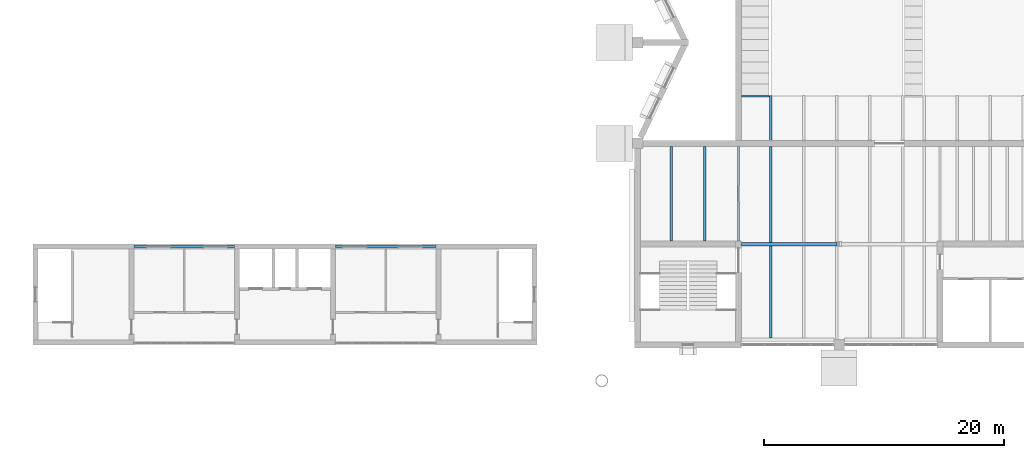
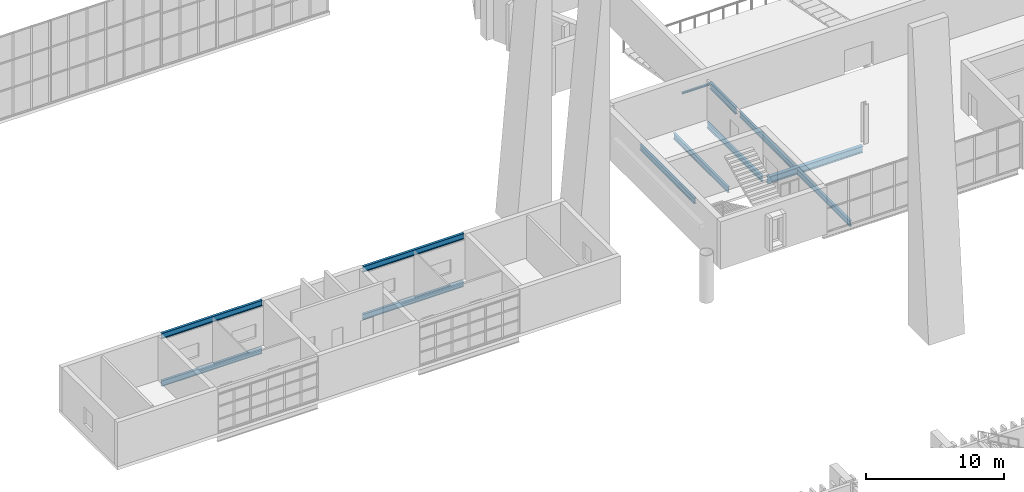
# One storey, part 34 of 100: 12 beams.
"""IFC4 building model written with IfcOpenShell, lengths in metres."""

import ifcopenshell
import ifcopenshell.guid

model = None  # the IFC model being written
_history = None  # IfcOwnerHistory: only IFC2X3 demands one
_inside = {}  # id of a spatial element -> (the spatial element, [elements in it])
_under = {}  # id of a project, library or spatial element -> (it, [spatial elements below it])
_declared = {}  # id of a project -> (the project, [libraries it declares])
_typed = {}  # id of a type object -> (the type object, [elements of that type])
_made_of = {}  # id of a material, layer set ... -> (it, [elements and type objects made of it])


def new_model(schema):
    """Start an empty IFC model of exactly this schema.

    Asked for "IFC4X3", IfcOpenShell would pick the latest addendum, in which some entities
    have other attributes; the version numbers below select the first issue.
    IFC2X3 requires an IfcOwnerHistory on every rooted entity: one is made here for all.
    """
    global model, _history
    if schema == "IFC4X3":
        model = ifcopenshell.file(schema_version=(4, 3, 0, 0))
    else:
        model = ifcopenshell.file(schema=schema)
    _inside.clear()
    _under.clear()
    _declared.clear()
    _typed.clear()
    _made_of.clear()
    _history = None
    if model.schema == "IFC2X3":
        org = make("IfcOrganization", Name="unknown")
        user = make(
            "IfcPersonAndOrganization",
            ThePerson=make("IfcPerson", FamilyName="unknown"),
            TheOrganization=org,
        )
        app = make(
            "IfcApplication",
            ApplicationDeveloper=org,
            Version="unknown",
            ApplicationFullName="unknown",
            ApplicationIdentifier="unknown",
        )
        _history = make(
            "IfcOwnerHistory",
            OwningUser=user,
            OwningApplication=app,
            ChangeAction="ADDED",
            CreationDate=0,
        )
    return model


def make(cls, **values):
    """One entity of the class cls with the attributes given. An attribute that is None is left unset."""
    return model.create_entity(
        cls, **{name: value for name, value in values.items() if value is not None}
    )


def rooted(cls, **values):
    """An entity with a GlobalId (a new one), such as an element, a storey or a relation."""
    return make(cls, GlobalId=ifcopenshell.guid.new(), OwnerHistory=_history, **values)


def si_unit(unit_type, name, prefix=None):
    """IfcSIUnit, for example si_unit("LENGTHUNIT", "METRE", prefix="MILLI")."""
    return make("IfcSIUnit", UnitType=unit_type, Prefix=prefix, Name=name)


def assignment(units):
    """IfcUnitAssignment: the units of a project."""
    return None if units is None else make("IfcUnitAssignment", Units=units)


def point(xyz):
    """IfcCartesianPoint."""
    return None if xyz is None else make("IfcCartesianPoint", Coordinates=xyz)


def direction(xyz):
    """IfcDirection."""
    return None if xyz is None else make("IfcDirection", DirectionRatios=xyz)


def frame(location, z_axis=None, x_axis=None):
    """IfcAxis2Placement3D, a coordinate frame: its origin and axes. An axis left out is left unset."""
    return make(
        "IfcAxis2Placement3D",
        Location=point(location),
        Axis=direction(z_axis),
        RefDirection=direction(x_axis),
    )


def frame_2d(location, x_axis=None):
    """IfcAxis2Placement2D, a coordinate frame in the plane: its origin and x axis."""
    return make(
        "IfcAxis2Placement2D", Location=point(location), RefDirection=direction(x_axis)
    )


def origin():
    """The frame at (0, 0, 0) with its axes left unset."""
    return frame((0.0, 0.0, 0.0))


def origin_2d():
    """The frame at (0, 0) in the plane with its x axis left unset."""
    return frame_2d((0.0, 0.0))


def place(relative_to, where):
    """IfcLocalPlacement: puts the frame where relative to a parent placement (None: the world)."""
    return make(
        "IfcLocalPlacement", PlacementRelTo=relative_to, RelativePlacement=where
    )


def context(
    kind, dimensions, precision=None, world=None, true_north=None, identifier=None
):
    """IfcGeometricRepresentationContext, for example the 3D "Model" context."""
    return make(
        "IfcGeometricRepresentationContext",
        ContextIdentifier=identifier,
        ContextType=kind,
        CoordinateSpaceDimension=dimensions,
        Precision=precision,
        WorldCoordinateSystem=world,
        TrueNorth=true_north,
    )


def subcontext(parent, identifier, kind, view, scale=None):
    """IfcGeometricRepresentationSubContext, for example "Body" below "Model"."""
    return make(
        "IfcGeometricRepresentationSubContext",
        ContextIdentifier=identifier,
        ContextType=kind,
        ParentContext=parent,
        TargetScale=scale,
        TargetView=view,
    )


def project(units=None, contexts=None):
    """IfcProject with its units and contexts."""
    return rooted(
        "IfcProject",
        Name="project",
        RepresentationContexts=contexts,
        UnitsInContext=assignment(units),
    )


def spatial(cls, under=None, at=None, **own):
    """A site, building, storey or space (cls), placed at a placement, below another one or the project."""
    s = rooted(cls, ObjectPlacement=at, **own)
    if under is not None:
        _under.setdefault(under.id(), (under, []))[1].append(s)
    return s


def profile(cls, at=None, kind="AREA", **sizes):
    """A parametric profile (cls). Its sizes go by their IFC names, for example OverallWidth=200.0."""
    return make(cls, ProfileType=kind, Position=at, **sizes)


def i_section(**sizes):
    """IfcIShapeProfileDef."""
    return profile("IfcIShapeProfileDef", **sizes)


def extrude(swept, where, along, depth):
    """IfcExtrudedAreaSolid: the profile swept, set in the frame where, extruded along a direction by depth."""
    return make(
        "IfcExtrudedAreaSolid",
        SweptArea=swept,
        Position=where,
        ExtrudedDirection=direction(along),
        Depth=depth,
    )


def shape(context_of_items, identifier, shape_type, items):
    """IfcShapeRepresentation: the items that make up one representation, for example the "Body"."""
    return make(
        "IfcShapeRepresentation",
        ContextOfItems=context_of_items,
        RepresentationIdentifier=identifier,
        RepresentationType=shape_type,
        Items=items,
    )


def material(Name=None, Category=None):
    """IfcMaterial."""
    return make("IfcMaterial", Name=Name, Category=Category)


def material_profile(
    of_material, cross_section, Name=None, Category=None, Priority=None
):
    """IfcMaterialProfile: a cross section and its material."""
    return make(
        "IfcMaterialProfile",
        Name=Name,
        Material=of_material,
        Profile=cross_section,
        Priority=Priority,
        Category=Category,
    )


def profile_set(profiles, Name=None, composite=None):
    """IfcMaterialProfileSet."""
    return make(
        "IfcMaterialProfileSet",
        Name=Name,
        MaterialProfiles=profiles,
        CompositeProfile=composite,
    )


def made_of(thing, what):
    """Note that an element or type object is made of a material, layer set ...; save() writes the relation."""
    if what is not None:
        _made_of.setdefault(what.id(), (what, []))[1].append(thing)
    return thing


def type_object(cls, material=None, **own):
    """A type object (cls), such as IfcWallType, which elements share."""
    return made_of(rooted(cls, **own), material)


def element(
    cls,
    number,
    at=None,
    inside=None,
    cuts=None,
    type_object=None,
    material=None,
    context=None,
    identifier="Body",
    shape_type=None,
    held_by="IfcProductDefinitionShape",
    body=None,
    shapes=None,
    **own,
):
    """One element of the class cls, such as IfcWall. Its Tag is "e" and its number.

    at: its placement. inside: the storey or other place that contains it. cuts: it is an
    opening in that element (IfcRelVoidsElement). A single representation is given by context,
    identifier, shape_type and body (its items); several are given by shapes. held_by: the class
    of the entity that holds the representations. save() writes the other relations.
    """
    e = rooted(cls, Tag="e%d" % number, ObjectPlacement=at, **own)
    if body is not None:
        shapes = [shape(context, identifier, shape_type, body)]
    if shapes is not None:
        e.Representation = make(held_by, Representations=shapes)
    if inside is not None:
        _inside.setdefault(inside.id(), (inside, []))[1].append(e)
    if cuts is not None:
        rooted(
            "IfcRelVoidsElement", RelatingBuildingElement=cuts, RelatedOpeningElement=e
        )
    if type_object is not None:
        _typed.setdefault(type_object.id(), (type_object, []))[1].append(e)
    return made_of(e, material)


def aggregate(whole, parts):
    """IfcRelAggregates: a whole, such as a stair, and the parts it consists of."""
    return rooted("IfcRelAggregates", RelatingObject=whole, RelatedObjects=parts)


def save(model, path):
    """Write the relations noted so far, then the file.

    IfcRelAggregates (storeys below a building ...), IfcRelContainedInSpatialStructure (elements
    in a storey), IfcRelDefinesByType, IfcRelAssociatesMaterial and IfcRelDeclares: one each for
    every whole, place, type object, material and project.
    """
    for whole, parts in _under.values():
        aggregate(whole, parts)
    for where, things in _inside.values():
        rooted(
            "IfcRelContainedInSpatialStructure",
            RelatedElements=things,
            RelatingStructure=where,
        )
    for kind, things in _typed.values():
        rooted("IfcRelDefinesByType", RelatedObjects=things, RelatingType=kind)
    for what, things in _made_of.values():
        rooted("IfcRelAssociatesMaterial", RelatedObjects=things, RelatingMaterial=what)
    for by, libraries in _declared.values():
        rooted("IfcRelDeclares", RelatingContext=by, RelatedDefinitions=libraries)
    model.write(path)


model = new_model("IFC4")

# Units and contexts
model_context = context("Model", 3, precision=1e-05, world=origin(), true_north=direction((0.0, 1.0)))
body_context = subcontext(model_context, "Body", "Model", "MODEL_VIEW")
ifc_project = project(units=[si_unit("LENGTHUNIT", "METRE"), si_unit("AREAUNIT", "SQUARE_METRE"), si_unit("VOLUMEUNIT", "CUBIC_METRE"), si_unit("PLANEANGLEUNIT", "RADIAN"), si_unit("MASSUNIT", "GRAM", prefix="KILO")], contexts=[model_context])

# Site, building, storey
site_placement = place(None, origin())
site = spatial("IfcSite", under=ifc_project, at=site_placement, CompositionType="ELEMENT")
building_placement = place(site_placement, origin())
building = spatial("IfcBuilding", under=site, at=building_placement, Name="Cresset Court Congress Hotel", CompositionType="ELEMENT")
storey_placement = place(building_placement, frame((0.0, 0.0, 10.199951171875)))
storey = spatial("IfcBuildingStorey", under=building, at=storey_placement, Name="L02", CompositionType="ELEMENT", Elevation=10.199951171875)

# Beams
ifc_material_1 = material(Name="Structural steel Q355B", Category="steel")
ifc_material_profile_1 = material_profile(ifc_material_1, i_section(OverallWidth=0.300048828125, OverallDepth=0.587890625, WebThickness=0.011962890625, FlangeThickness=0.02001953125, FilletRadius=0.028076171875, at=origin_2d()), Name="HM588x300x12x20")
ifc_profile_set_1 = profile_set([ifc_material_profile_1], Name="Structural steel Q355B")
beam_type_1 = type_object("IfcBeamType", Name="Steel HM588x300x12x20 girder", PredefinedType="BEAM", material=ifc_profile_set_1)
beam_1_placement = place(storey_placement, frame((67.449951171875, 67.199951171875, -0.44384765625), z_axis=(1.0, 0.0, 0.0), x_axis=(0.0, 1.0, 0.0)))
element("IfcBeam", 1, at=beam_1_placement, inside=storey, type_object=beam_type_1, Name="Girder CG-F021", PredefinedType="BEAM", context=body_context, shape_type="SweptSolid", body=[
    extrude(i_section(OverallWidth=0.300048828125, OverallDepth=0.587890625, WebThickness=0.011962890625, FlangeThickness=0.02001953125, FilletRadius=0.028076171875, at=origin_2d()), origin(), (0.0, 0.0, 1.0), 7.949951171875),
])
ifc_material_2 = material(Name="Structural steel Q355B", Category="steel")
ifc_material_profile_2 = material_profile(ifc_material_2, i_section(OverallWidth=0.199951171875, OverallDepth=0.5, WebThickness=0.010009765625, FlangeThickness=0.01611328125, FilletRadius=0.012939453125, at=origin_2d()), Name="HN500x200x10x16")
ifc_profile_set_2 = profile_set([ifc_material_profile_2], Name="Structural steel Q355B")
beam_type_2 = type_object("IfcBeamType", Name="Steel HN500x200x10x16 beam", PredefinedType="BEAM", material=ifc_profile_set_2)
for number, where, z_axis, x_axis, name in (
    (2, (61.60009765625, 67.449951171875, -0.39990234375), (0.0, 1.0, 0.0), (-1.0, 0.0, 0.0), "Beam CB-F021"),
    (3, (64.39990234375, 67.449951171875, -0.39990234375), (0.0, 1.0, 0.0), (-1.0, 0.0, 0.0), "Beam CB-F022"),
    (4, (67.199951171875, 67.449951171875, -0.39990234375), (0.0, 1.0, 0.0), (-1.0, 0.0, 0.0), "Beam CB-F023"),
):
    element("IfcBeam", number, at=place(storey_placement, frame(where, z_axis=z_axis, x_axis=x_axis)), inside=storey, type_object=beam_type_2, Name=name, PredefinedType="BEAM", context=body_context, shape_type="SweptSolid", body=[
        extrude(i_section(OverallWidth=0.199951171875, OverallDepth=0.5, WebThickness=0.010009765625, FlangeThickness=0.01611328125, FilletRadius=0.012939453125, at=origin_2d()), origin(), (0.0, 0.0, 1.0), 7.900146484375),
    ])
beam_2_placement = place(storey_placement, frame((69.89990234375, 59.35009765625, -0.39990234375), z_axis=(0.0, 1.0, 0.0), x_axis=(-1.0, 0.0, 0.0)))
element("IfcBeam", 5, at=beam_2_placement, inside=storey, type_object=beam_type_2, Name="Beam CB-F024", PredefinedType="BEAM", context=body_context, shape_type="SweptSolid", body=[
    extrude(i_section(OverallWidth=0.199951171875, OverallDepth=0.5, WebThickness=0.010009765625, FlangeThickness=0.01611328125, FilletRadius=0.012939453125, at=origin_2d()), origin(), (0.0, 0.0, 1.0), 7.699951171875),
])
beam_3_placement = place(storey_placement, frame((69.89990234375, 67.35009765625, -0.39990234375), z_axis=(0.0, 1.0, 0.0), x_axis=(-1.0, 0.0, 0.0)))
element("IfcBeam", 6, at=beam_3_placement, inside=storey, type_object=beam_type_2, Name="Beam CB-F025", PredefinedType="BEAM", context=body_context, shape_type="SweptSolid", body=[
    extrude(i_section(OverallWidth=0.199951171875, OverallDepth=0.5, WebThickness=0.010009765625, FlangeThickness=0.01611328125, FilletRadius=0.012939453125, at=origin_2d()), origin(), (0.0, 0.0, 1.0), 8.0),
])
ifc_material_3 = material(Name="Structural steel Q355B", Category="steel")
ifc_material_profile_3 = material_profile(ifc_material_3, i_section(OverallWidth=0.199951171875, OverallDepth=0.60009765625, WebThickness=0.010986328125, FlangeThickness=0.01708984375, FilletRadius=0.012939453125, at=origin_2d()), Name="HN600x200x11x17")
ifc_profile_set_3 = profile_set([ifc_material_profile_3], Name="Structural steel Q355B")
beam_type_3 = type_object("IfcBeamType", Name="Steel HN600x200x11x17 raker beam", PredefinedType="BEAM", material=ifc_profile_set_3)
beam_4_placement = place(storey_placement, frame((69.89990234375, 75.85009765625, -0.449951171875), z_axis=(0.0, 1.0, 0.0), x_axis=(-1.0, 0.0, 0.0)))
element("IfcBeam", 7, at=beam_4_placement, inside=storey, type_object=beam_type_3, Name="Raker beam CK-1a", PredefinedType="BEAM", context=body_context, shape_type="SweptSolid", body=[
    extrude(i_section(OverallWidth=0.199951171875, OverallDepth=0.60009765625, WebThickness=0.010986328125, FlangeThickness=0.01708984375, FilletRadius=0.012939453125, at=origin_2d()), origin(), (0.0, 0.0, 1.0), 3.75),
])
ifc_material_4 = material(Name="Structural steel Q355B", Category="steel")
ifc_material_profile_4 = material_profile(ifc_material_4, i_section(OverallWidth=0.14990234375, OverallDepth=0.14990234375, WebThickness=0.007080078125, FlangeThickness=0.010009765625, FilletRadius=0.008056640625, at=origin_2d()), Name="HW150x150x7x10")
ifc_profile_set_4 = profile_set([ifc_material_profile_4], Name="Structural steel Q355B")
beam_type_4 = type_object("IfcBeamType", Name="Steel HW150x150x7x10 stair bearer", PredefinedType="BEAM", material=ifc_profile_set_4)
beam_5_placement = place(storey_placement, frame((67.449951171875, 79.52490234375, -0.27490234375), z_axis=(1.0, 0.0, 0.0), x_axis=(0.0, 1.0, 0.0)))
element("IfcBeam", 8, at=beam_5_placement, inside=storey, type_object=beam_type_4, Name="Stair bearer CB-1R", PredefinedType="BEAM", context=body_context, shape_type="SweptSolid", body=[
    extrude(i_section(OverallWidth=0.14990234375, OverallDepth=0.14990234375, WebThickness=0.007080078125, FlangeThickness=0.010009765625, FilletRadius=0.008056640625, at=origin_2d()), origin(), (0.0, 0.0, 1.0), 2.35009765625),
])
ifc_material_5 = material(Name="Structural steel Q355B", Category="steel")
ifc_material_profile_5 = material_profile(ifc_material_5, i_section(OverallWidth=0.199951171875, OverallDepth=0.5, WebThickness=0.010009765625, FlangeThickness=0.01611328125, FilletRadius=0.012939453125, at=origin_2d()), Name="HN500x200x10x16")
ifc_profile_set_5 = profile_set([ifc_material_profile_5], Name="Structural steel Q355B")
beam_type_5 = type_object("IfcBeamType", Name="Steel edge beam HN500x200x10x16", PredefinedType="BEAM", material=ifc_profile_set_5)
for number, where, z_axis, x_axis, name in (
    (9, (16.800048828125, 67.0, -0.530029296875), (1.0, 0.0, 0.0), (0.0, 1.0, 0.0), "Foyer edge beam WN"),
    (10, (33.60009765625, 67.0, -0.530029296875), (1.0, 0.0, 0.0), (0.0, 1.0, 0.0), "Foyer edge beam EN"),
    (11, (16.800048828125, 67.0, 3.670166015625), (1.0, 0.0, 0.0), (0.0, 1.0, 0.0), "Foyer edge beam WN"),
    (12, (33.60009765625, 67.0, 3.670166015625), (1.0, 0.0, 0.0), (0.0, 1.0, 0.0), "Foyer edge beam EN"),
):
    element("IfcBeam", number, at=place(storey_placement, frame(where, z_axis=z_axis, x_axis=x_axis)), inside=storey, type_object=beam_type_5, Name=name, PredefinedType="BEAM", context=body_context, shape_type="SweptSolid", body=[
        extrude(i_section(OverallWidth=0.199951171875, OverallDepth=0.5, WebThickness=0.010009765625, FlangeThickness=0.01611328125, FilletRadius=0.012939453125, at=origin_2d()), origin(), (0.0, 0.0, 1.0), 8.39990234375),
    ])

save(model, "model.ifc")
